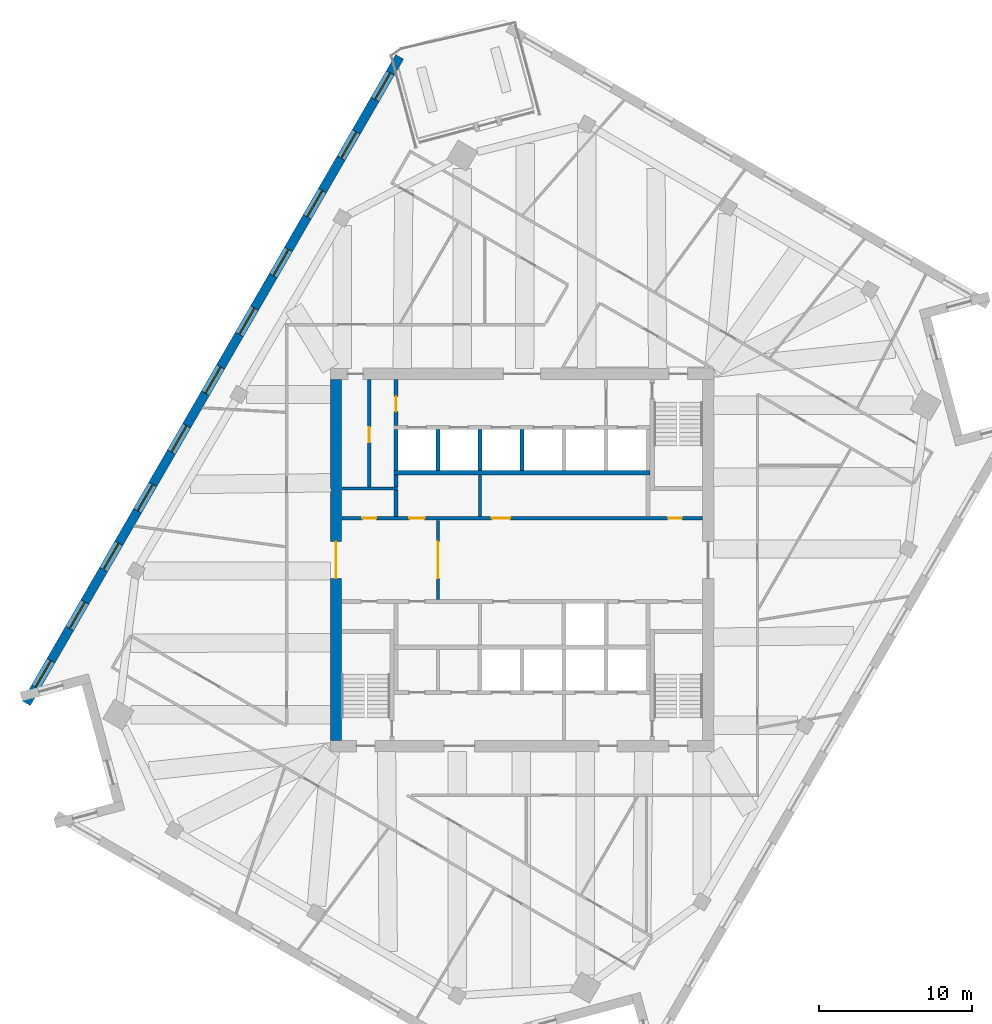
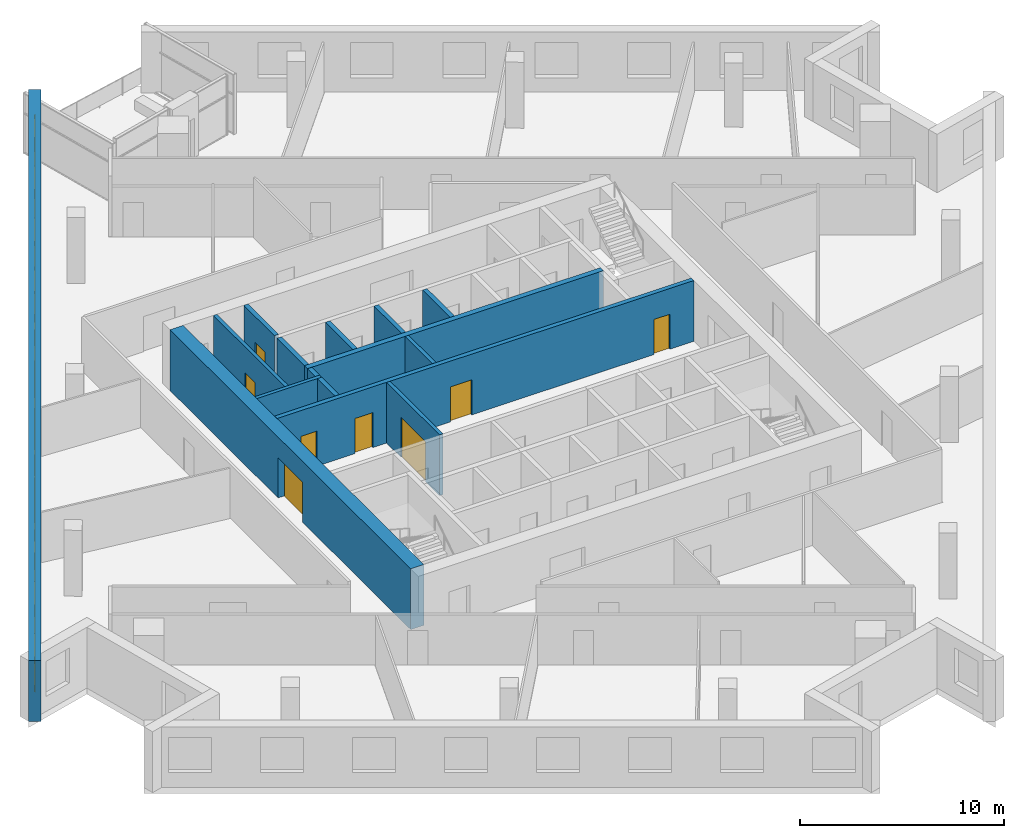
# One storey, part 9 of 13: 15 walls, 11 windows, 8 doors, 19 openings.
"""IFC4 building model written with IfcOpenShell, lengths in metres."""

from ifc_helpers import new_model, si_unit, direction, frame, frame_2d, origin, place, context, subcontext, project, spatial, rectangle, extrude, material, layer, layer_set, type_object, element, fill, save


model = new_model("IFC4")

# Units and contexts
model_context = context("Model", 3, precision=1e-05, world=origin(), true_north=direction((0.0, 1.0)))
body_context = subcontext(model_context, "Body", "Model", "MODEL_VIEW")
ifc_project = project(units=[si_unit("LENGTHUNIT", "METRE"), si_unit("AREAUNIT", "SQUARE_METRE"), si_unit("VOLUMEUNIT", "CUBIC_METRE"), si_unit("PLANEANGLEUNIT", "RADIAN"), si_unit("MASSUNIT", "GRAM", prefix="KILO")], contexts=[model_context])

# Site, building, storey
site_placement = place(None, origin())
site = spatial("IfcSite", under=ifc_project, at=site_placement, CompositionType="ELEMENT")
building_placement = place(site_placement, origin())
building = spatial("IfcBuilding", under=site, at=building_placement, Name="Dilmun Exchange Tower", CompositionType="ELEMENT")
storey_placement = place(building_placement, frame((0.0, 0.0, 270.89990234375)))
storey = spatial("IfcBuildingStorey", under=building, at=storey_placement, Name="L64", CompositionType="ELEMENT", Elevation=270.89990234375)

# Wall, opening, door
ifc_material_1 = material(Name="Concrete C40/50", Category="concrete")
ifc_layer_1 = layer(ifc_material_1, 0.199951171875)
ifc_layer_set_1 = layer_set([ifc_layer_1], Name="Concrete C40/50")
wall_type_1 = type_object("IfcWallType", Name="Core partition wall 200", PredefinedType="PARTITIONING", material=ifc_layer_set_1)
wall_1_placement = place(storey_placement, frame((-5.5, -2.594970703125, 0.0), z_axis=(0.0, 0.0, 1.0), x_axis=(0.0, 1.0, 0.0)))
wall_1 = element("IfcWall", 1, at=wall_1_placement, inside=storey, type_object=wall_type_1, Name="L64 core partition wall 11", PredefinedType="PARTITIONING", context=body_context, shape_type="SweptSolid", body=[
    extrude(rectangle(XDim=5.18994140625, YDim=0.199951171875, at=frame_2d((2.594970703125, 0.0))), origin(), (0.0, 0.0, 1.0), 3.64013671875),
])
opening_1_placement = place(wall_1_placement, frame((1.39501953125, 0.0, 0.0)))
opening_1 = element("IfcOpeningElement", 2, at=opening_1_placement, cuts=wall_1, Name="Opening CD1", PredefinedType="OPENING", context=body_context, shape_type="SweptSolid", body=[
    extrude(rectangle(XDim=2.39990234375, YDim=2.39990234375, at=frame_2d((1.199951171875, 1.199951171875))), frame((0.0, 0.10986328125, 0.0), z_axis=(0.0, -1.0, 0.0), x_axis=(1.0, 0.0, 0.0)), (0.0, 0.0, 1.0), 0.219970703125),
])
ifc_material_2 = material(Name="Fire-rated steel door set", Category="steel")
door_type_1 = type_object("IfcDoorType", Name="Core lobby door 2400x2400", OperationType="DOUBLE_DOOR_DOUBLE_SWING", PredefinedType="DOOR", material=ifc_material_2)
door_1_placement = place(opening_1_placement, origin())
door_1 = element("IfcDoor", 3, at=door_1_placement, inside=storey, type_object=door_type_1, Name="L64 door Lift lobby east", OperationType="SINGLE_SWING_LEFT", OverallHeight=2.39990234375, OverallWidth=2.39990234375, PredefinedType="DOOR", context=body_context, shape_type="SweptSolid", body=[
    extrude(rectangle(XDim=2.39990234375, YDim=2.39990234375, at=frame_2d((1.199951171875, 1.199951171875))), frame((0.0, 0.02490234375, 0.0), z_axis=(0.0, -1.0, 0.0), x_axis=(1.0, 0.0, 0.0)), (0.0, 0.0, 1.0), 0.050048828125),
])
fill(opening_1, door_1)

# Walls
wall_2_placement = place(storey_placement, frame((-2.75, 2.85498046875, 0.0), z_axis=(0.0, 0.0, 1.0), x_axis=(0.0, 1.0, 0.0)))
element("IfcWall", 4, at=wall_2_placement, inside=storey, type_object=wall_type_1, Name="L64 core partition wall 14", PredefinedType="PARTITIONING", context=body_context, shape_type="SweptSolid", body=[
    extrude(rectangle(XDim=2.68994140625, YDim=0.199951171875, at=frame_2d((1.344970703125, 0.0))), origin(), (0.0, 0.0, 1.0), 3.64013671875),
])
wall_3_placement = place(storey_placement, frame((-11.794921875, 4.675048828125, 0.0), z_axis=(0.0, 0.0, 1.0), x_axis=(1.0, 0.0, 0.0)))
element("IfcWall", 5, at=wall_3_placement, inside=storey, type_object=wall_type_1, Name="L64 core partition wall 16", PredefinedType="PARTITIONING", context=body_context, shape_type="SweptSolid", body=[
    extrude(rectangle(XDim=3.64501953125, YDim=0.199951171875, at=frame_2d((1.822509765625, 0.0))), origin(), (0.0, 0.0, 1.0), 3.64013671875),
])

# Wall, opening, door
wall_4_placement = place(storey_placement, frame((-10.0, 4.780029296875, 0.0), z_axis=(0.0, 0.0, 1.0), x_axis=(0.0, 1.0, 0.0)))
wall_4 = element("IfcWall", 6, at=wall_4_placement, inside=storey, type_object=wall_type_1, Name="L64 core partition wall 17", PredefinedType="PARTITIONING", context=body_context, shape_type="SweptSolid", body=[
    extrude(rectangle(XDim=7.014892578125, YDim=0.199951171875, at=frame_2d((3.50732421875, 0.0))), origin(), (0.0, 0.0, 1.0), 3.64013671875),
])
opening_2_placement = place(wall_4_placement, frame((2.919921875, 0.0, 0.0)))
opening_2 = element("IfcOpeningElement", 7, at=opening_2_placement, cuts=wall_4, Name="Opening CD4", PredefinedType="OPENING", context=body_context, shape_type="SweptSolid", body=[
    extrude(rectangle(XDim=1.0, YDim=2.10009765625, at=frame_2d((0.5, 1.050048828125))), frame((0.0, 0.10986328125, 0.0), z_axis=(0.0, -1.0, 0.0), x_axis=(1.0, 0.0, 0.0)), (0.0, 0.0, 1.0), 0.219970703125),
])
door_type_2 = type_object("IfcDoorType", Name="Core room door 1000x2100", OperationType="SINGLE_SWING_LEFT", PredefinedType="DOOR", material=ifc_material_2)
door_2_placement = place(opening_2_placement, origin())
door_2 = element("IfcDoor", 8, at=door_2_placement, inside=storey, type_object=door_type_2, Name="L64 door Comms room", OperationType="SINGLE_SWING_LEFT", OverallHeight=2.10009765625, OverallWidth=1.0, PredefinedType="DOOR", context=body_context, shape_type="SweptSolid", body=[
    extrude(rectangle(XDim=1.0, YDim=2.10009765625, at=frame_2d((0.5, 1.050048828125))), frame((0.0, 0.02490234375, 0.0), z_axis=(0.0, -1.0, 0.0), x_axis=(1.0, 0.0, 0.0)), (0.0, 0.0, 1.0), 0.050048828125),
])
fill(opening_2, door_2)

# Wall, openings, doors
ifc_layer_2 = layer(ifc_material_1, 0.25)
ifc_layer_set_2 = layer_set([ifc_layer_2], Name="Concrete C40/50")
wall_type_2 = type_object("IfcWallType", Name="Core partition wall 250", PredefinedType="PARTITIONING", material=ifc_layer_set_2)
wall_5_placement = place(storey_placement, frame((-11.794921875, 2.72509765625, 0.0), z_axis=(0.0, 0.0, 1.0), x_axis=(1.0, 0.0, 0.0)))
wall_5 = element("IfcWall", 9, at=wall_5_placement, inside=storey, type_object=wall_type_2, Name="L64 core partition wall 12", PredefinedType="PARTITIONING", context=body_context, shape_type="SweptSolid", body=[
    extrude(rectangle(XDim=23.58984375, YDim=0.25, at=frame_2d((11.794921875, 0.0))), origin(), (0.0, 0.0, 1.0), 3.64013671875),
])
opening_3_placement = place(wall_5_placement, frame((21.344970703125, 0.0, 0.0)))
opening_3 = element("IfcOpeningElement", 10, at=opening_3_placement, cuts=wall_5, Name="Opening CD6", PredefinedType="OPENING", context=body_context, shape_type="SweptSolid", body=[
    extrude(rectangle(XDim=0.89990234375, YDim=2.10009765625, at=frame_2d((0.449951171875, 1.050048828125))), frame((0.0, 0.135009765625, 0.0), z_axis=(0.0, -1.0, 0.0), x_axis=(1.0, 0.0, 0.0)), (0.0, 0.0, 1.0), 0.27001953125),
])
opening_4_placement = place(wall_5_placement, frame((1.344970703125, 0.0, 0.0)))
opening_4 = element("IfcOpeningElement", 11, at=opening_4_placement, cuts=wall_5, Name="Opening CD6", PredefinedType="OPENING", context=body_context, shape_type="SweptSolid", body=[
    extrude(rectangle(XDim=0.89990234375, YDim=2.10009765625, at=frame_2d((0.449951171875, 1.050048828125))), frame((0.0, 0.135009765625, 0.0), z_axis=(0.0, -1.0, 0.0), x_axis=(1.0, 0.0, 0.0)), (0.0, 0.0, 1.0), 0.27001953125),
])
opening_5_placement = place(wall_5_placement, frame((4.419921875, 0.0, 0.0)))
opening_5 = element("IfcOpeningElement", 12, at=opening_5_placement, cuts=wall_5, Name="Opening CD4", PredefinedType="OPENING", context=body_context, shape_type="SweptSolid", body=[
    extrude(rectangle(XDim=1.0, YDim=2.10009765625, at=frame_2d((0.5, 1.050048828125))), frame((0.0, 0.135009765625, 0.0), z_axis=(0.0, -1.0, 0.0), x_axis=(1.0, 0.0, 0.0)), (0.0, 0.0, 1.0), 0.27001953125),
])
opening_6_placement = place(wall_5_placement, frame((9.820068359375, 0.0, 0.0)))
opening_6 = element("IfcOpeningElement", 13, at=opening_6_placement, cuts=wall_5, Name="Opening CD3", PredefinedType="OPENING", context=body_context, shape_type="SweptSolid", body=[
    extrude(rectangle(XDim=1.199951171875, YDim=2.10009765625, at=frame_2d((0.60009765625, 1.050048828125))), frame((0.0, 0.135009765625, 0.0), z_axis=(0.0, -1.0, 0.0), x_axis=(1.0, 0.0, 0.0)), (0.0, 0.0, 1.0), 0.27001953125),
])
door_3_placement = place(opening_5_placement, origin())
door_3 = element("IfcDoor", 14, at=door_3_placement, inside=storey, type_object=door_type_2, Name="L64 door Tenant services room", OperationType="SINGLE_SWING_LEFT", OverallHeight=2.10009765625, OverallWidth=1.0, PredefinedType="DOOR", context=body_context, shape_type="SweptSolid", body=[
    extrude(rectangle(XDim=1.0, YDim=2.10009765625, at=frame_2d((0.5, 1.050048828125))), frame((0.0, 0.02490234375, 0.0), z_axis=(0.0, -1.0, 0.0), x_axis=(1.0, 0.0, 0.0)), (0.0, 0.0, 1.0), 0.050048828125),
])
fill(opening_5, door_3)
door_type_3 = type_object("IfcDoorType", Name="Core room door 900x2100", OperationType="SINGLE_SWING_LEFT", PredefinedType="DOOR", material=ifc_material_2)
door_4_placement = place(opening_3_placement, origin())
door_4 = element("IfcDoor", 15, at=door_4_placement, inside=storey, type_object=door_type_3, Name="L64 door Electrical riser", OperationType="SINGLE_SWING_LEFT", OverallHeight=2.10009765625, OverallWidth=0.89990234375, PredefinedType="DOOR", context=body_context, shape_type="SweptSolid", body=[
    extrude(rectangle(XDim=0.89990234375, YDim=2.10009765625, at=frame_2d((0.449951171875, 1.050048828125))), frame((0.0, 0.02490234375, 0.0), z_axis=(0.0, -1.0, 0.0), x_axis=(1.0, 0.0, 0.0)), (0.0, 0.0, 1.0), 0.050048828125),
])
fill(opening_3, door_4)
door_5_placement = place(opening_4_placement, origin())
door_5 = element("IfcDoor", 16, at=door_5_placement, inside=storey, type_object=door_type_3, Name="L64 door Plumbing riser", OperationType="SINGLE_SWING_LEFT", OverallHeight=2.10009765625, OverallWidth=0.89990234375, PredefinedType="DOOR", context=body_context, shape_type="SweptSolid", body=[
    extrude(rectangle(XDim=0.89990234375, YDim=2.10009765625, at=frame_2d((0.449951171875, 1.050048828125))), frame((0.0, 0.02490234375, 0.0), z_axis=(0.0, -1.0, 0.0), x_axis=(1.0, 0.0, 0.0)), (0.0, 0.0, 1.0), 0.050048828125),
])
fill(opening_4, door_5)
door_type_4 = type_object("IfcDoorType", Name="Stair exit door 1200x2100", OperationType="SINGLE_SWING_LEFT", PredefinedType="DOOR", material=ifc_material_2)
door_6_placement = place(opening_6_placement, origin())
door_6 = element("IfcDoor", 17, at=door_6_placement, inside=storey, type_object=door_type_4, Name="L64 door Tenant amenity store", OperationType="SINGLE_SWING_LEFT", OverallHeight=2.10009765625, OverallWidth=1.199951171875, PredefinedType="DOOR", context=body_context, shape_type="SweptSolid", body=[
    extrude(rectangle(XDim=1.199951171875, YDim=2.10009765625, at=frame_2d((0.60009765625, 1.050048828125))), frame((0.0, 0.02490234375, 0.0), z_axis=(0.0, -1.0, 0.0), x_axis=(1.0, 0.0, 0.0)), (0.0, 0.0, 1.0), 0.050048828125),
])
fill(opening_6, door_6)

# Walls
wall_6_placement = place(storey_placement, frame((-8.25, 2.85498046875, 0.0), z_axis=(0.0, 0.0, 1.0), x_axis=(0.0, 1.0, 0.0)))
element("IfcWall", 18, at=wall_6_placement, inside=storey, type_object=wall_type_2, Name="L64 core partition wall 13", PredefinedType="PARTITIONING", context=body_context, shape_type="SweptSolid", body=[
    extrude(rectangle(XDim=1.715087890625, YDim=0.25, at=frame_2d((0.857421875, 0.0))), origin(), (0.0, 0.0, 1.0), 3.64013671875),
])
wall_7_placement = place(storey_placement, frame((-8.25, 4.780029296875, 0.0), z_axis=(0.0, 0.0, 1.0), x_axis=(0.0, 1.0, 0.0)))
element("IfcWall", 19, at=wall_7_placement, inside=storey, type_object=wall_type_2, Name="L64 core partition wall 18", PredefinedType="PARTITIONING", context=body_context, shape_type="SweptSolid", body=[
    extrude(rectangle(XDim=0.764892578125, YDim=0.25, at=frame_2d((0.38232421875, 0.0))), origin(), (0.0, 0.0, 1.0), 3.64013671875),
])

# Wall, opening, door
wall_8_placement = place(storey_placement, frame((-8.25, 8.804931640625, 0.0), z_axis=(0.0, 0.0, 1.0), x_axis=(0.0, 1.0, 0.0)))
wall_8 = element("IfcWall", 20, at=wall_8_placement, inside=storey, type_object=wall_type_2, Name="L64 core partition wall 19", PredefinedType="PARTITIONING", context=body_context, shape_type="SweptSolid", body=[
    extrude(rectangle(XDim=2.989990234375, YDim=0.25, at=frame_2d((1.4951171875, 0.0))), origin(), (0.0, 0.0, 1.0), 3.64013671875),
])
opening_7_placement = place(wall_8_placement, frame((0.89501953125, 0.0, 0.0)))
opening_7 = element("IfcOpeningElement", 21, at=opening_7_placement, cuts=wall_8, Name="Opening CD4", PredefinedType="OPENING", context=body_context, shape_type="SweptSolid", body=[
    extrude(rectangle(XDim=1.0, YDim=2.10009765625, at=frame_2d((0.5, 1.050048828125))), frame((0.0, 0.135009765625, 0.0), z_axis=(0.0, -1.0, 0.0), x_axis=(1.0, 0.0, 0.0)), (0.0, 0.0, 1.0), 0.27001953125),
])
door_7_placement = place(opening_7_placement, origin())
door_7 = element("IfcDoor", 22, at=door_7_placement, inside=storey, type_object=door_type_2, Name="L64 door Security room", OperationType="SINGLE_SWING_LEFT", OverallHeight=2.10009765625, OverallWidth=1.0, PredefinedType="DOOR", context=body_context, shape_type="SweptSolid", body=[
    extrude(rectangle(XDim=1.0, YDim=2.10009765625, at=frame_2d((0.5, 1.050048828125))), frame((0.0, 0.02490234375, 0.0), z_axis=(0.0, -1.0, 0.0), x_axis=(1.0, 0.0, 0.0)), (0.0, 0.0, 1.0), 0.050048828125),
])
fill(opening_7, door_7)

ifc_material_3 = material(Name="Concrete C50/60", Category="concrete")
ifc_layer_3 = layer(ifc_material_3, 0.75)
ifc_layer_set_3 = layer_set([ifc_layer_3], Name="Concrete C50/60")
wall_type_3 = type_object("IfcWallType", Name="Core shear wall 750 Concrete C50/60", PredefinedType="SHEAR", material=ifc_layer_set_3)
wall_9_placement = place(storey_placement, frame((-12.175048828125, -11.800048828125, 0.0), z_axis=(0.0, 0.0, 1.0), x_axis=(0.0, 1.0, 0.0)))
wall_9 = element("IfcWall", 23, at=wall_9_placement, inside=storey, type_object=wall_type_3, Name="L64 core shear wall W", PredefinedType="SHEAR", context=body_context, shape_type="SweptSolid", body=[
    extrude(rectangle(XDim=23.60009765625, YDim=0.75, at=frame_2d((11.800048828125, 0.0))), origin(), (0.0, 0.0, 1.0), 3.64013671875),
])
opening_8_placement = place(wall_9_placement, frame((10.60009765625, 0.0, 0.0)))
opening_8 = element("IfcOpeningElement", 24, at=opening_8_placement, cuts=wall_9, Name="Opening CD1", PredefinedType="OPENING", context=body_context, shape_type="SweptSolid", body=[
    extrude(rectangle(XDim=2.39990234375, YDim=2.39990234375, at=frame_2d((1.199951171875, 1.199951171875))), frame((0.0, 0.385009765625, 0.0), z_axis=(0.0, -1.0, 0.0), x_axis=(1.0, 0.0, 0.0)), (0.0, 0.0, 1.0), 0.77001953125),
])
door_8_placement = place(opening_8_placement, origin())
door_8 = element("IfcDoor", 25, at=door_8_placement, inside=storey, type_object=door_type_1, Name="L64 door Central lift lobby", OperationType="SINGLE_SWING_LEFT", OverallHeight=2.39990234375, OverallWidth=2.39990234375, PredefinedType="DOOR", context=body_context, shape_type="SweptSolid", body=[
    extrude(rectangle(XDim=2.39990234375, YDim=2.39990234375, at=frame_2d((1.199951171875, 1.199951171875))), frame((0.0, 0.02490234375, 0.0), z_axis=(0.0, -1.0, 0.0), x_axis=(1.0, 0.0, 0.0)), (0.0, 0.0, 1.0), 0.050048828125),
])
fill(opening_8, door_8)

# Walls
ifc_layer_4 = layer(ifc_material_1, 0.300048828125)
ifc_layer_set_4 = layer_set([ifc_layer_4], Name="Concrete C40/50")
wall_type_4 = type_object("IfcWallType", Name="Lift shaft shared wall 300", PredefinedType="SOLIDWALL", material=ifc_layer_set_4)
wall_10_placement = place(storey_placement, frame((-8.375, 5.699951171875, 0.0), z_axis=(0.0, 0.0, 1.0), x_axis=(1.0, 0.0, 0.0)))
element("IfcWall", 26, at=wall_10_placement, inside=storey, type_object=wall_type_4, Name="L64 lift shaft rear wall N", PredefinedType="SOLIDWALL", context=body_context, shape_type="SweptSolid", body=[
    extrude(rectangle(XDim=16.75, YDim=0.300048828125, at=frame_2d((8.375, 0.0))), origin(), (0.0, 0.0, 1.0), 3.64013671875),
])
ifc_layer_5 = layer(ifc_material_1, 0.25)
ifc_layer_set_5 = layer_set([ifc_layer_5], Name="Concrete C40/50")
wall_type_5 = type_object("IfcWallType", Name="Lift shaft wall 250", PredefinedType="SOLIDWALL", material=ifc_layer_set_5)
for number, where, z_axis, x_axis, name in (
    (27, (-8.25, 5.85009765625, 0.0), (0.0, 0.0, 1.0), (0.0, 1.0, 0.0), "L64 lift shaft divider N20"),
    (28, (-5.5, 5.85009765625, 0.0), (0.0, 0.0, 1.0), (0.0, 1.0, 0.0), "L64 lift shaft divider N21"),
    (29, (-2.75, 5.85009765625, 0.0), (0.0, 0.0, 1.0), (0.0, 1.0, 0.0), "L64 lift shaft divider N22"),
    (30, (0.0, 5.85009765625, 0.0), (0.0, 0.0, 1.0), (0.0, 1.0, 0.0), "L64 lift shaft divider N23"),
):
    element("IfcWall", number, at=place(storey_placement, frame(where, z_axis=z_axis, x_axis=x_axis)), inside=storey, type_object=wall_type_5, Name=name, PredefinedType="SOLIDWALL", context=body_context, shape_type="SweptSolid", body=[
        extrude(rectangle(XDim=2.699951171875, YDim=0.25, at=frame_2d((1.35009765625, 0.0))), origin(), (0.0, 0.0, 1.0), 3.64013671875),
    ])

# Wall, openings, windows
ifc_material_4 = material(Name="Precast concrete C50/60", Category="concrete")
ifc_layer_6 = layer(ifc_material_4, 0.60009765625)
ifc_layer_set_6 = layer_set([ifc_layer_6], Name="Precast concrete C50/60")
wall_type_6 = type_object("IfcWallType", Name="Precast stone-clad wall 600", PredefinedType="STANDARD", material=ifc_layer_set_6)
wall_11_placement = place(storey_placement, frame((-8.014892578125, 32.91748046875, 0.0), z_axis=(0.0, 0.0, 1.0), x_axis=(-0.500001675963, -0.866024436165, 0.0)))
wall_11 = element("IfcWall", 31, at=wall_11_placement, inside=storey, type_object=wall_type_6, Name="Facade wall L64-03", PredefinedType="STANDARD", context=body_context, shape_type="SweptSolid", body=[
    extrude(rectangle(XDim=48.843017578125, YDim=0.60009765625, at=frame_2d((24.42138671875, 0.0))), origin(), (0.0, 0.0, 1.0), 3.64013671875),
])
opening_9_placement = place(wall_11_placement, frame((1.22021484375, 0.0, 0.89990234375)))
opening_9 = element("IfcOpeningElement", 32, at=opening_9_placement, cuts=wall_11, Name="Opening W200-210", PredefinedType="OPENING", context=body_context, shape_type="SweptSolid", body=[
    extrude(rectangle(XDim=2.0, YDim=2.10009765625, at=frame_2d((1.0, 1.050048828125))), frame((0.0, 0.31005859375, 0.0), z_axis=(0.0, -1.0, 0.0), x_axis=(1.0, 0.0, 0.0)), (0.0, 0.0, 1.0), 0.6201171875),
])
opening_10_placement = place(wall_11_placement, frame((5.660400390625, 0.0, 0.89990234375)))
opening_10 = element("IfcOpeningElement", 33, at=opening_10_placement, cuts=wall_11, Name="Opening W200-210", PredefinedType="OPENING", context=body_context, shape_type="SweptSolid", body=[
    extrude(rectangle(XDim=2.0, YDim=2.10009765625, at=frame_2d((1.0, 1.050048828125))), frame((0.0, 0.31005859375, 0.0), z_axis=(0.0, -1.0, 0.0), x_axis=(1.0, 0.0, 0.0)), (0.0, 0.0, 1.0), 0.6201171875),
])
opening_11_placement = place(wall_11_placement, frame((10.1005859375, 0.0, 0.89990234375)))
opening_11 = element("IfcOpeningElement", 34, at=opening_11_placement, cuts=wall_11, Name="Opening W200-210", PredefinedType="OPENING", context=body_context, shape_type="SweptSolid", body=[
    extrude(rectangle(XDim=2.0, YDim=2.10009765625, at=frame_2d((1.0, 1.050048828125))), frame((0.0, 0.31005859375, 0.0), z_axis=(0.0, -1.0, 0.0), x_axis=(1.0, 0.0, 0.0)), (0.0, 0.0, 1.0), 0.6201171875),
])
opening_12_placement = place(wall_11_placement, frame((14.541015625, 0.0, 0.89990234375)))
opening_12 = element("IfcOpeningElement", 35, at=opening_12_placement, cuts=wall_11, Name="Opening W200-210", PredefinedType="OPENING", context=body_context, shape_type="SweptSolid", body=[
    extrude(rectangle(XDim=2.0, YDim=2.10009765625, at=frame_2d((1.0, 1.050048828125))), frame((0.0, 0.31005859375, 0.0), z_axis=(0.0, -1.0, 0.0), x_axis=(1.0, 0.0, 0.0)), (0.0, 0.0, 1.0), 0.6201171875),
])
opening_13_placement = place(wall_11_placement, frame((18.981201171875, 0.0, 0.89990234375)))
opening_13 = element("IfcOpeningElement", 36, at=opening_13_placement, cuts=wall_11, Name="Opening W200-210", PredefinedType="OPENING", context=body_context, shape_type="SweptSolid", body=[
    extrude(rectangle(XDim=2.0, YDim=2.10009765625, at=frame_2d((1.0, 1.050048828125))), frame((0.0, 0.31005859375, 0.0), z_axis=(0.0, -1.0, 0.0), x_axis=(1.0, 0.0, 0.0)), (0.0, 0.0, 1.0), 0.6201171875),
])
opening_14_placement = place(wall_11_placement, frame((23.421630859375, 0.0, 0.89990234375)))
opening_14 = element("IfcOpeningElement", 37, at=opening_14_placement, cuts=wall_11, Name="Opening W200-210", PredefinedType="OPENING", context=body_context, shape_type="SweptSolid", body=[
    extrude(rectangle(XDim=2.0, YDim=2.10009765625, at=frame_2d((1.0, 1.050048828125))), frame((0.0, 0.31005859375, 0.0), z_axis=(0.0, -1.0, 0.0), x_axis=(1.0, 0.0, 0.0)), (0.0, 0.0, 1.0), 0.6201171875),
])
opening_15_placement = place(wall_11_placement, frame((27.86181640625, 0.0, 0.89990234375)))
opening_15 = element("IfcOpeningElement", 38, at=opening_15_placement, cuts=wall_11, Name="Opening W200-210", PredefinedType="OPENING", context=body_context, shape_type="SweptSolid", body=[
    extrude(rectangle(XDim=2.0, YDim=2.10009765625, at=frame_2d((1.0, 1.050048828125))), frame((0.0, 0.31005859375, 0.0), z_axis=(0.0, -1.0, 0.0), x_axis=(1.0, 0.0, 0.0)), (0.0, 0.0, 1.0), 0.6201171875),
])
opening_16_placement = place(wall_11_placement, frame((32.302001953125, 0.0, 0.89990234375)))
opening_16 = element("IfcOpeningElement", 39, at=opening_16_placement, cuts=wall_11, Name="Opening W200-210", PredefinedType="OPENING", context=body_context, shape_type="SweptSolid", body=[
    extrude(rectangle(XDim=2.0, YDim=2.10009765625, at=frame_2d((1.0, 1.050048828125))), frame((0.0, 0.31005859375, 0.0), z_axis=(0.0, -1.0, 0.0), x_axis=(1.0, 0.0, 0.0)), (0.0, 0.0, 1.0), 0.6201171875),
])
opening_17_placement = place(wall_11_placement, frame((36.742431640625, 0.0, 0.89990234375)))
opening_17 = element("IfcOpeningElement", 40, at=opening_17_placement, cuts=wall_11, Name="Opening W200-210", PredefinedType="OPENING", context=body_context, shape_type="SweptSolid", body=[
    extrude(rectangle(XDim=2.0, YDim=2.10009765625, at=frame_2d((1.0, 1.050048828125))), frame((0.0, 0.31005859375, 0.0), z_axis=(0.0, -1.0, 0.0), x_axis=(1.0, 0.0, 0.0)), (0.0, 0.0, 1.0), 0.6201171875),
])
opening_18_placement = place(wall_11_placement, frame((41.1826171875, 0.0, 0.89990234375)))
opening_18 = element("IfcOpeningElement", 41, at=opening_18_placement, cuts=wall_11, Name="Opening W200-210", PredefinedType="OPENING", context=body_context, shape_type="SweptSolid", body=[
    extrude(rectangle(XDim=2.0, YDim=2.10009765625, at=frame_2d((1.0, 1.050048828125))), frame((0.0, 0.31005859375, 0.0), z_axis=(0.0, -1.0, 0.0), x_axis=(1.0, 0.0, 0.0)), (0.0, 0.0, 1.0), 0.6201171875),
])
opening_19_placement = place(wall_11_placement, frame((45.623046875, 0.0, 0.89990234375)))
opening_19 = element("IfcOpeningElement", 42, at=opening_19_placement, cuts=wall_11, Name="Opening W200-210", PredefinedType="OPENING", context=body_context, shape_type="SweptSolid", body=[
    extrude(rectangle(XDim=2.0, YDim=2.10009765625, at=frame_2d((1.0, 1.050048828125))), frame((0.0, 0.31005859375, 0.0), z_axis=(0.0, -1.0, 0.0), x_axis=(1.0, 0.0, 0.0)), (0.0, 0.0, 1.0), 0.6201171875),
])
ifc_material_5 = material(Name="Clear low-emissivity glass in aluminium frame", Category="aluminium")
window_type = type_object("IfcWindowType", Name="Punched window 2000 x 2100", PartitioningType="DOUBLE_PANEL_VERTICAL", PredefinedType="WINDOW", material=ifc_material_5)
window_1_placement = place(opening_9_placement, origin())
window_1 = element("IfcWindow", 43, at=window_1_placement, inside=storey, type_object=window_type, Name="Window 4.1", OverallHeight=2.10009765625, OverallWidth=2.0, PartitioningType="SINGLE_PANEL", PredefinedType="WINDOW", context=body_context, shape_type="SweptSolid", body=[
    extrude(rectangle(XDim=2.0, YDim=2.10009765625, at=frame_2d((1.0, 1.050048828125))), frame((0.0, 0.030029296875, 0.0), z_axis=(0.0, -1.0, 0.0), x_axis=(1.0, 0.0, 0.0)), (0.0, 0.0, 1.0), 0.06005859375),
])
fill(opening_9, window_1)
window_2_placement = place(opening_10_placement, origin())
window_2 = element("IfcWindow", 44, at=window_2_placement, inside=storey, type_object=window_type, Name="Window 4.2", OverallHeight=2.10009765625, OverallWidth=2.0, PartitioningType="SINGLE_PANEL", PredefinedType="WINDOW", context=body_context, shape_type="SweptSolid", body=[
    extrude(rectangle(XDim=2.0, YDim=2.10009765625, at=frame_2d((1.0, 1.050048828125))), frame((0.0, 0.030029296875, 0.0), z_axis=(0.0, -1.0, 0.0), x_axis=(1.0, 0.0, 0.0)), (0.0, 0.0, 1.0), 0.06005859375),
])
fill(opening_10, window_2)
window_3_placement = place(opening_11_placement, origin())
window_3 = element("IfcWindow", 45, at=window_3_placement, inside=storey, type_object=window_type, Name="Window 4.3", OverallHeight=2.10009765625, OverallWidth=2.0, PartitioningType="SINGLE_PANEL", PredefinedType="WINDOW", context=body_context, shape_type="SweptSolid", body=[
    extrude(rectangle(XDim=2.0, YDim=2.10009765625, at=frame_2d((1.0, 1.050048828125))), frame((0.0, 0.030029296875, 0.0), z_axis=(0.0, -1.0, 0.0), x_axis=(1.0, 0.0, 0.0)), (0.0, 0.0, 1.0), 0.06005859375),
])
fill(opening_11, window_3)
window_4_placement = place(opening_12_placement, origin())
window_4 = element("IfcWindow", 46, at=window_4_placement, inside=storey, type_object=window_type, Name="Window 4.4", OverallHeight=2.10009765625, OverallWidth=2.0, PartitioningType="SINGLE_PANEL", PredefinedType="WINDOW", context=body_context, shape_type="SweptSolid", body=[
    extrude(rectangle(XDim=2.0, YDim=2.10009765625, at=frame_2d((1.0, 1.050048828125))), frame((0.0, 0.030029296875, 0.0), z_axis=(0.0, -1.0, 0.0), x_axis=(1.0, 0.0, 0.0)), (0.0, 0.0, 1.0), 0.06005859375),
])
fill(opening_12, window_4)
window_5_placement = place(opening_13_placement, origin())
window_5 = element("IfcWindow", 47, at=window_5_placement, inside=storey, type_object=window_type, Name="Window 4.5", OverallHeight=2.10009765625, OverallWidth=2.0, PartitioningType="SINGLE_PANEL", PredefinedType="WINDOW", context=body_context, shape_type="SweptSolid", body=[
    extrude(rectangle(XDim=2.0, YDim=2.10009765625, at=frame_2d((1.0, 1.050048828125))), frame((0.0, 0.030029296875, 0.0), z_axis=(0.0, -1.0, 0.0), x_axis=(1.0, 0.0, 0.0)), (0.0, 0.0, 1.0), 0.06005859375),
])
fill(opening_13, window_5)
window_6_placement = place(opening_14_placement, origin())
window_6 = element("IfcWindow", 48, at=window_6_placement, inside=storey, type_object=window_type, Name="Window 4.6", OverallHeight=2.10009765625, OverallWidth=2.0, PartitioningType="SINGLE_PANEL", PredefinedType="WINDOW", context=body_context, shape_type="SweptSolid", body=[
    extrude(rectangle(XDim=2.0, YDim=2.10009765625, at=frame_2d((1.0, 1.050048828125))), frame((0.0, 0.030029296875, 0.0), z_axis=(0.0, -1.0, 0.0), x_axis=(1.0, 0.0, 0.0)), (0.0, 0.0, 1.0), 0.06005859375),
])
fill(opening_14, window_6)
window_7_placement = place(opening_15_placement, origin())
window_7 = element("IfcWindow", 49, at=window_7_placement, inside=storey, type_object=window_type, Name="Window 4.7", OverallHeight=2.10009765625, OverallWidth=2.0, PartitioningType="SINGLE_PANEL", PredefinedType="WINDOW", context=body_context, shape_type="SweptSolid", body=[
    extrude(rectangle(XDim=2.0, YDim=2.10009765625, at=frame_2d((1.0, 1.050048828125))), frame((0.0, 0.030029296875, 0.0), z_axis=(0.0, -1.0, 0.0), x_axis=(1.0, 0.0, 0.0)), (0.0, 0.0, 1.0), 0.06005859375),
])
fill(opening_15, window_7)
window_8_placement = place(opening_16_placement, origin())
window_8 = element("IfcWindow", 50, at=window_8_placement, inside=storey, type_object=window_type, Name="Window 4.8", OverallHeight=2.10009765625, OverallWidth=2.0, PartitioningType="SINGLE_PANEL", PredefinedType="WINDOW", context=body_context, shape_type="SweptSolid", body=[
    extrude(rectangle(XDim=2.0, YDim=2.10009765625, at=frame_2d((1.0, 1.050048828125))), frame((0.0, 0.030029296875, 0.0), z_axis=(0.0, -1.0, 0.0), x_axis=(1.0, 0.0, 0.0)), (0.0, 0.0, 1.0), 0.06005859375),
])
fill(opening_16, window_8)
window_9_placement = place(opening_17_placement, origin())
window_9 = element("IfcWindow", 51, at=window_9_placement, inside=storey, type_object=window_type, Name="Window 4.9", OverallHeight=2.10009765625, OverallWidth=2.0, PartitioningType="SINGLE_PANEL", PredefinedType="WINDOW", context=body_context, shape_type="SweptSolid", body=[
    extrude(rectangle(XDim=2.0, YDim=2.10009765625, at=frame_2d((1.0, 1.050048828125))), frame((0.0, 0.030029296875, 0.0), z_axis=(0.0, -1.0, 0.0), x_axis=(1.0, 0.0, 0.0)), (0.0, 0.0, 1.0), 0.06005859375),
])
fill(opening_17, window_9)
window_10_placement = place(opening_18_placement, origin())
window_10 = element("IfcWindow", 52, at=window_10_placement, inside=storey, type_object=window_type, Name="Window 4.10", OverallHeight=2.10009765625, OverallWidth=2.0, PartitioningType="SINGLE_PANEL", PredefinedType="WINDOW", context=body_context, shape_type="SweptSolid", body=[
    extrude(rectangle(XDim=2.0, YDim=2.10009765625, at=frame_2d((1.0, 1.050048828125))), frame((0.0, 0.030029296875, 0.0), z_axis=(0.0, -1.0, 0.0), x_axis=(1.0, 0.0, 0.0)), (0.0, 0.0, 1.0), 0.06005859375),
])
fill(opening_18, window_10)
window_11_placement = place(opening_19_placement, origin())
window_11 = element("IfcWindow", 53, at=window_11_placement, inside=storey, type_object=window_type, Name="Window 4.11", OverallHeight=2.10009765625, OverallWidth=2.0, PartitioningType="SINGLE_PANEL", PredefinedType="WINDOW", context=body_context, shape_type="SweptSolid", body=[
    extrude(rectangle(XDim=2.0, YDim=2.10009765625, at=frame_2d((1.0, 1.050048828125))), frame((0.0, 0.030029296875, 0.0), z_axis=(0.0, -1.0, 0.0), x_axis=(1.0, 0.0, 0.0)), (0.0, 0.0, 1.0), 0.06005859375),
])
fill(opening_19, window_11)

save(model, "model.ifc")
